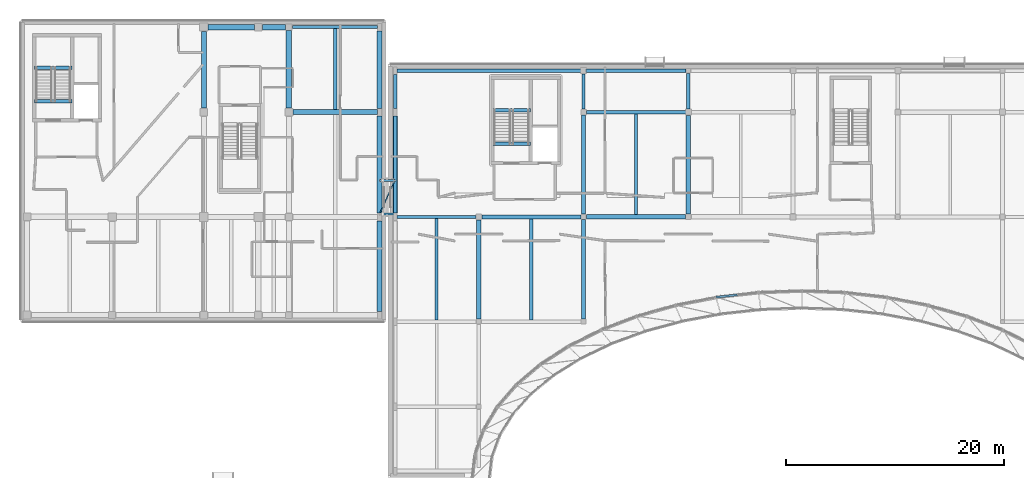
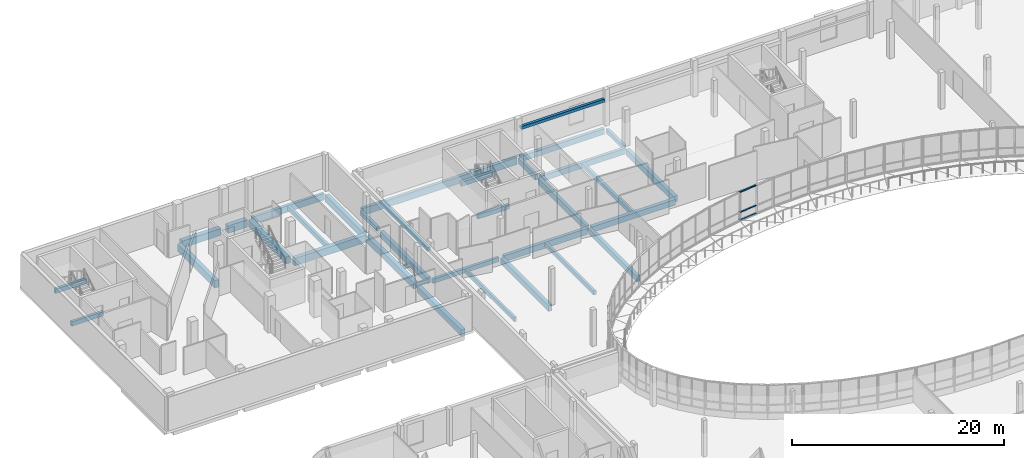
# One storey, part 22 of 73: 35 beams, 4 members, 1 element without a shape of its own.
"""IFC4 building model written with IfcOpenShell, lengths in metres."""

from ifc_helpers import new_model, si_unit, direction, frame, origin, origin_2d, place, context, subcontext, project, spatial, rectangle, hollow_rectangle, i_section, extrude, material, material_profile, profile_set, type_object, element, aggregate, save


model = new_model("IFC4")

# Units and contexts
model_context = context("Model", 3, precision=1e-05, world=origin(), true_north=direction((0.0, 1.0)))
body_context = subcontext(model_context, "Body", "Model", "MODEL_VIEW")
ifc_project = project(units=[si_unit("LENGTHUNIT", "METRE"), si_unit("AREAUNIT", "SQUARE_METRE"), si_unit("VOLUMEUNIT", "CUBIC_METRE"), si_unit("PLANEANGLEUNIT", "RADIAN"), si_unit("MASSUNIT", "GRAM", prefix="KILO")], contexts=[model_context])

# Site, building, storey
site_placement = place(None, origin())
site = spatial("IfcSite", under=ifc_project, at=site_placement, CompositionType="ELEMENT")
building_placement = place(site_placement, origin())
building = spatial("IfcBuilding", under=site, at=building_placement, Name="Mzevani Central Library", CompositionType="ELEMENT")
storey_placement = place(building_placement, frame((0.0, 0.0, 9.60009765625)))
storey = spatial("IfcBuildingStorey", under=building, at=storey_placement, Name="L02", CompositionType="ELEMENT", Elevation=9.60009765625)

# Beams
ifc_material_1 = material(Name="Concrete C35/45", Category="concrete")
ifc_material_profile_1 = material_profile(ifc_material_1, rectangle(XDim=0.300048828125, YDim=0.5, at=origin_2d()), Name="RC B300x500")
ifc_profile_set_1 = profile_set([ifc_material_profile_1], Name="Concrete C35/45")
beam_type_1 = type_object("IfcBeamType", Name="Beam RC 300x500", PredefinedType="BEAM", material=ifc_profile_set_1)
beam_1_placement = place(storey_placement, frame((46.925048828125, 100.0, -0.530029296875), z_axis=(1.0, 0.0, 0.0), x_axis=(0.0, 1.0, 0.0)))
element("IfcBeam", 1, at=beam_1_placement, inside=storey, type_object=beam_type_1, Name="L02 V3 Girder B-01 (564)", PredefinedType="BEAM", context=body_context, shape_type="SweptSolid", body=[
    extrude(rectangle(XDim=0.300048828125, YDim=0.5, at=origin_2d()), origin(), (0.0, 0.0, 1.0), 7.199951171875),
])
beam_2_placement = place(storey_placement, frame((46.75, 109.949951171875, -0.530029296875), z_axis=(0.0, 1.0, 0.0), x_axis=(-1.0, 0.0, 0.0)))
element("IfcBeam", 2, at=beam_2_placement, inside=storey, type_object=beam_type_1, Name="L02 V3 Frame Beam B-01 (592)", PredefinedType="BEAM", context=body_context, shape_type="SweptSolid", body=[
    extrude(rectangle(XDim=0.300048828125, YDim=0.5, at=origin_2d()), origin(), (0.0, 0.0, 1.0), 3.10009765625),
])
beam_3_placement = place(storey_placement, frame((73.60009765625, 109.89990234375, -0.530029296875), z_axis=(0.0, 1.0, 0.0), x_axis=(-1.0, 0.0, 0.0)))
element("IfcBeam", 3, at=beam_3_placement, inside=storey, type_object=beam_type_1, Name="L02 V3 Frame Beam B-01 (600)", PredefinedType="BEAM", context=body_context, shape_type="SweptSolid", body=[
    extrude(rectangle(XDim=0.300048828125, YDim=0.5, at=origin_2d()), origin(), (0.0, 0.0, 1.0), 3.25),
])
for number, where, z_axis, x_axis, name in (
    (4, (13.679931640625, 113.679931640625, 1.64990234375), (1.0, 0.0, 0.0), (0.0, 1.0, 0.0), "L02 Core C2A North-West Firefighting Core Stair Landing Beam 1"),
    (5, (13.679931640625, 110.60009765625, -0.25), (1.0, 0.0, 0.0), (0.0, 1.0, 0.0), "L02 Core C2A North-West Firefighting Core Stair Opening Trimmer Beam"),
    (6, (55.679931640625, 109.780029296875, 1.64990234375), (1.0, 0.0, 0.0), (0.0, 1.0, 0.0), "L02 Core C3A North-East Firefighting Core Stair Landing Beam 1"),
    (7, (55.679931640625, 106.699951171875, -0.25), (1.0, 0.0, 0.0), (0.0, 1.0, 0.0), "L02 Core C3A North-East Firefighting Core Stair Opening Trimmer Beam"),
):
    element("IfcBeam", number, at=place(storey_placement, frame(where, z_axis=z_axis, x_axis=x_axis)), inside=storey, type_object=beam_type_1, Name=name, PredefinedType="BEAM", context=body_context, shape_type="SweptSolid", body=[
        extrude(rectangle(XDim=0.300048828125, YDim=0.5, at=origin_2d()), origin(), (0.0, 0.0, 1.0), 3.440185546875),
    ])
ifc_material_profile_2 = material_profile(ifc_material_1, rectangle(XDim=0.300048828125, YDim=0.60009765625, at=origin_2d()), Name="RC B300x600")
ifc_profile_set_2 = profile_set([ifc_material_profile_2], Name="Concrete C35/45")
beam_type_2 = type_object("IfcBeamType", Name="Beam RC 300x600", PredefinedType="BEAM", material=ifc_profile_set_2)
beam_4_placement = place(storey_placement, frame((64.0, 109.875, -0.580078125), z_axis=(0.0, 1.0, 0.0), x_axis=(-1.0, 0.0, 0.0)))
element("IfcBeam", 8, at=beam_4_placement, inside=storey, type_object=beam_type_2, Name="L02 V3 Frame Beam B-03 (598)", PredefinedType="BEAM", context=body_context, shape_type="SweptSolid", body=[
    extrude(rectangle(XDim=0.300048828125, YDim=0.60009765625, at=origin_2d()), origin(), (0.0, 0.0, 1.0), 3.22509765625),
])
ifc_material_profile_3 = material_profile(ifc_material_1, rectangle(XDim=0.35009765625, YDim=0.64990234375, at=origin_2d()), Name="RC B350x650")
ifc_profile_set_3 = profile_set([ifc_material_profile_3], Name="Concrete C35/45")
beam_type_3 = type_object("IfcBeamType", Name="Beam RC 350x650", PredefinedType="BEAM", material=ifc_profile_set_3)
beam_5_placement = place(storey_placement, frame((64.27490234375, 109.60009765625, -0.60498046875), z_axis=(1.0, 0.0, 0.0), x_axis=(0.0, 1.0, 0.0)))
element("IfcBeam", 9, at=beam_5_placement, inside=storey, type_object=beam_type_3, Name="L02 V3 Girder B-05 (572)", PredefinedType="BEAM", context=body_context, shape_type="SweptSolid", body=[
    extrude(rectangle(XDim=0.35009765625, YDim=0.64990234375, at=origin_2d()), origin(), (0.0, 0.0, 1.0), 9.125),
])
beam_6_placement = place(storey_placement, frame((64.199951171875, 113.39990234375, -0.60498046875), z_axis=(1.0, 0.0, 0.0), x_axis=(0.0, 1.0, 0.0)))
element("IfcBeam", 10, at=beam_6_placement, inside=storey, type_object=beam_type_3, Name="L02 V3 Girder B-05 (580)", PredefinedType="BEAM", context=body_context, shape_type="SweptSolid", body=[
    extrude(rectangle(XDim=0.35009765625, YDim=0.64990234375, at=origin_2d()), origin(), (0.0, 0.0, 1.0), 9.150146484375),
])
beam_7_placement = place(storey_placement, frame((64.0, 90.64990234375, -0.60498046875), z_axis=(0.0, 1.0, 0.0), x_axis=(-1.0, 0.0, 0.0)))
element("IfcBeam", 11, at=beam_7_placement, inside=storey, type_object=beam_type_3, Name="L02 V3 Frame Beam B-05 (596)", PredefinedType="BEAM", context=body_context, shape_type="SweptSolid", body=[
    extrude(rectangle(XDim=0.35009765625, YDim=0.64990234375, at=origin_2d()), origin(), (0.0, 0.0, 1.0), 9.10009765625),
])
ifc_material_profile_4 = material_profile(ifc_material_1, rectangle(XDim=0.35009765625, YDim=0.699951171875, at=origin_2d()), Name="RC B350x700")
ifc_profile_set_4 = profile_set([ifc_material_profile_4], Name="Concrete C35/45")
beam_type_4 = type_object("IfcBeamType", Name="Beam RC 350x700", PredefinedType="BEAM", material=ifc_profile_set_4)
for number, where, z_axis, x_axis, name in (
    (12, (54.675048828125, 100.0, -0.630126953125), (1.0, 0.0, 0.0), (0.0, 1.0, 0.0), "L02 V3 Girder B-06 (565)"),
    (13, (64.0, 100.25, -0.630126953125), (0.0, 1.0, 0.0), (-1.0, 0.0, 0.0), "L02 V3 Frame Beam B-06 (597)"),
):
    element("IfcBeam", number, at=place(storey_placement, frame(where, z_axis=z_axis, x_axis=x_axis)), inside=storey, type_object=beam_type_4, Name=name, PredefinedType="BEAM", context=body_context, shape_type="SweptSolid", body=[
        extrude(rectangle(XDim=0.35009765625, YDim=0.699951171875, at=origin_2d()), origin(), (0.0, 0.0, 1.0), 9.074951171875),
    ])
ifc_material_profile_5 = material_profile(ifc_material_1, rectangle(XDim=0.39990234375, YDim=0.64990234375, at=origin_2d()), Name="RC B400x650")
ifc_profile_set_5 = profile_set([ifc_material_profile_5], Name="Concrete C35/45")
beam_type_5 = type_object("IfcBeamType", Name="Beam RC 400x650", PredefinedType="BEAM", material=ifc_profile_set_5)
beam_8_placement = place(storey_placement, frame((64.25, 100.0, -0.60498046875), z_axis=(1.0, 0.0, 0.0), x_axis=(0.0, 1.0, 0.0)))
element("IfcBeam", 14, at=beam_8_placement, inside=storey, type_object=beam_type_5, Name="L02 V3 Girder B-07 (566)", PredefinedType="BEAM", context=body_context, shape_type="SweptSolid", body=[
    extrude(rectangle(XDim=0.39990234375, YDim=0.64990234375, at=origin_2d()), origin(), (0.0, 0.0, 1.0), 9.074951171875),
])
ifc_material_profile_6 = material_profile(ifc_material_1, rectangle(XDim=0.39990234375, YDim=0.699951171875, at=origin_2d()), Name="RC B400x700")
ifc_profile_set_6 = profile_set([ifc_material_profile_6], Name="Concrete C35/45")
beam_type_6 = type_object("IfcBeamType", Name="Beam RC 400x700", PredefinedType="BEAM", material=ifc_profile_set_6)
beam_9_placement = place(storey_placement, frame((46.75, 100.35009765625, -0.630126953125), z_axis=(0.0, 1.0, 0.0), x_axis=(-1.0, 0.0, 0.0)))
element("IfcBeam", 15, at=beam_9_placement, inside=storey, type_object=beam_type_6, Name="L02 V3 Frame Beam B-08 (591)", PredefinedType="BEAM", context=body_context, shape_type="SweptSolid", body=[
    extrude(rectangle(XDim=0.39990234375, YDim=0.699951171875, at=origin_2d()), origin(), (0.0, 0.0, 1.0), 8.89990234375),
])
beam_10_placement = place(storey_placement, frame((54.39990234375, 90.64990234375, -0.630126953125), z_axis=(0.0, 1.0, 0.0), x_axis=(-1.0, 0.0, 0.0)))
element("IfcBeam", 16, at=beam_10_placement, inside=storey, type_object=beam_type_6, Name="L02 V3 Frame Beam B-08 (595)", PredefinedType="BEAM", context=body_context, shape_type="SweptSolid", body=[
    extrude(rectangle(XDim=0.39990234375, YDim=0.699951171875, at=origin_2d()), origin(), (0.0, 0.0, 1.0), 9.0751953125),
])
beam_11_placement = place(storey_placement, frame((73.60009765625, 100.27490234375, -0.630126953125), z_axis=(0.0, 1.0, 0.0), x_axis=(-1.0, 0.0, 0.0)))
element("IfcBeam", 17, at=beam_11_placement, inside=storey, type_object=beam_type_6, Name="L02 V3 Frame Beam B-08 (599)", PredefinedType="BEAM", context=body_context, shape_type="SweptSolid", body=[
    extrude(rectangle(XDim=0.39990234375, YDim=0.699951171875, at=origin_2d()), origin(), (0.0, 0.0, 1.0), 9.025146484375),
])
ifc_material_2 = material(Name="Steel S355J2", Category="steel")
ifc_material_profile_7 = material_profile(ifc_material_2, i_section(OverallWidth=0.18994140625, OverallDepth=0.449951171875, WebThickness=0.009521484375, FlangeThickness=0.0146484375, FilletRadius=0.02099609375, at=origin_2d()), Name="IPE 450")
ifc_profile_set_7 = profile_set([ifc_material_profile_7], Name="Steel S355J2")
beam_type_7 = type_object("IfcBeamType", Name="Bridge Primary Girder IPE 450", PredefinedType="BEAM", material=ifc_profile_set_7)
for number, where, z_axis, x_axis, name in (
    (18, (45.300048828125, 100.25, -0.550048828125), (1.0, 0.0, 0.0), (0.0, 1.0, 0.0), "L02 Stacks-Court Seismic Passage L02 Girder 1"),
    (19, (45.300048828125, 103.35009765625, -0.550048828125), (1.0, 0.0, 0.0), (0.0, 1.0, 0.0), "L02 Stacks-Court Seismic Passage L02 Girder 2"),
):
    element("IfcBeam", number, at=place(storey_placement, frame(where, z_axis=z_axis, x_axis=x_axis)), inside=storey, type_object=beam_type_7, Name=name, PredefinedType="BEAM", context=body_context, shape_type="SweptSolid", body=[
        extrude(i_section(OverallWidth=0.18994140625, OverallDepth=0.449951171875, WebThickness=0.009521484375, FlangeThickness=0.0146484375, FilletRadius=0.02099609375, at=origin_2d()), origin(), (0.0, 0.0, 1.0), 1.39990234375),
    ])

# Member
ifc_material_profile_8 = material_profile(ifc_material_2, hollow_rectangle(XDim=0.10009765625, YDim=0.179931640625, WallThickness=0.008056640625, at=origin_2d()), Name="RHS 180x100x8.0")
ifc_profile_set_8 = profile_set([ifc_material_profile_8], Name="Steel S355J2")
member_type_1 = type_object("IfcMemberType", Name="Bridge Truss Chord RHS 180x100", PredefinedType="CHORD", material=ifc_profile_set_8)
member_1_placement = place(storey_placement, frame((45.300048828125, 100.25, -0.380126953125), z_axis=(0.411552106839, 0.911386231713, 0.0), x_axis=(-0.911386231713, 0.411552106839, 0.0)))
element("IfcMember", 20, at=member_1_placement, inside=storey, type_object=member_type_1, Name="L02 Stacks-Court Seismic Passage L02 Diaphragm Chord", PredefinedType="CHORD", context=body_context, shape_type="SweptSolid", body=[
    extrude(hollow_rectangle(XDim=0.10009765625, YDim=0.179931640625, WallThickness=0.008056640625, at=origin_2d()), origin(), (0.0, 0.0, 1.0), 3.401611328125),
])

# Curtain wall, members
ifc_material_3 = material(Name="Thermally broken aluminium and Low-E triple glazing", Category="aluminium")
curtain_wall_type = type_object("IfcCurtainWallType", Name="Elliptical Court Unitised Curtain Wall", PredefinedType="NOTDEFINED", material=ifc_material_3)
curtain_wall_placement = place(storey_placement, origin())
curtain_wall = element("IfcCurtainWall", 21, at=curtain_wall_placement, inside=storey, type_object=curtain_wall_type, Name="L02 Elliptical Court Curtain Wall 14", PredefinedType="NOTDEFINED")
ifc_material_4 = material(Name="Thermally broken aluminium AW-6060", Category="aluminium")
ifc_material_profile_9 = material_profile(ifc_material_4, rectangle(XDim=0.18994140625, YDim=0.070068359375, at=origin_2d()), Name="ALU T70x190")
ifc_profile_set_9 = profile_set([ifc_material_profile_9], Name="Thermally broken aluminium AW-6060")
member_type_2 = type_object("IfcMemberType", Name="CW Transom 70x190", PredefinedType="USERDEFINED", material=ifc_profile_set_9)
member_2_placement = place(storey_placement, frame((78.0869140625, 92.857421875, 0.719970703125), z_axis=(-0.993685364048, -0.11220248338, 0.0), x_axis=(0.11220248338, -0.993685364048, 0.0)))
member_2 = element("IfcMember", 22, at=member_2_placement, type_object=member_type_2, Name="L02 Elliptical Court Curtain Wall 14 Transom 4", ObjectType="TRANSOM", PredefinedType="USERDEFINED", context=body_context, shape_type="SweptSolid", body=[
    extrude(rectangle(XDim=0.18994140625, YDim=0.070068359375, at=origin_2d()), origin(), (0.0, 0.0, 1.0), 1.9365234375),
])
member_3_placement = place(storey_placement, frame((78.0869140625, 92.857421875, 1.619873046875), z_axis=(-0.993685364048, -0.11220248338, 0.0), x_axis=(0.11220248338, -0.993685364048, 0.0)))
member_3 = element("IfcMember", 23, at=member_3_placement, type_object=member_type_2, Name="L02 Elliptical Court Curtain Wall 14 Transom 5", ObjectType="TRANSOM", PredefinedType="USERDEFINED", context=body_context, shape_type="SweptSolid", body=[
    extrude(rectangle(XDim=0.18994140625, YDim=0.070068359375, at=origin_2d()), origin(), (0.0, 0.0, 1.0), 1.9365234375),
])
member_4_placement = place(storey_placement, frame((78.0869140625, 92.857421875, 3.919921875), z_axis=(-0.993685364048, -0.11220248338, 0.0), x_axis=(0.11220248338, -0.993685364048, 0.0)))
member_4 = element("IfcMember", 24, at=member_4_placement, type_object=member_type_2, Name="L02 Elliptical Court Curtain Wall 14 Transom 6", ObjectType="TRANSOM", PredefinedType="USERDEFINED", context=body_context, shape_type="SweptSolid", body=[
    extrude(rectangle(XDim=0.18994140625, YDim=0.070068359375, at=origin_2d()), origin(), (0.0, 0.0, 1.0), 1.9365234375),
])
aggregate(curtain_wall, [member_2, member_3, member_4])

# Beams
ifc_material_5 = material(Name="Precast concrete C40/50", Category="concrete")
ifc_material_profile_10 = material_profile(ifc_material_5, rectangle(XDim=0.35009765625, YDim=0.800048828125, at=origin_2d()), Name="RC SP350x800")
ifc_profile_set_10 = profile_set([ifc_material_profile_10], Name="Precast concrete C40/50")
beam_type_8 = type_object("IfcBeamType", Name="Colonnade Fascia Beam RC 350x800", PredefinedType="SPANDREL", material=ifc_profile_set_10)
beam_12_placement = place(storey_placement, frame((46.925048828125, 113.39990234375, -0.68017578125), z_axis=(1.0, 0.0, 0.0), x_axis=(0.0, 1.0, 0.0)))
element("IfcBeam", 25, at=beam_12_placement, inside=storey, type_object=beam_type_8, Name="L02 V3 Girder SP-02 (579)", PredefinedType="SPANDREL", context=body_context, shape_type="SweptSolid", body=[
    extrude(rectangle(XDim=0.35009765625, YDim=0.800048828125, at=origin_2d()), origin(), (0.0, 0.0, 1.0), 16.875),
])
ifc_material_profile_11 = material_profile(ifc_material_5, rectangle(XDim=0.300048828125, YDim=0.75, at=origin_2d()), Name="RC SP300x750")
ifc_profile_set_11 = profile_set([ifc_material_profile_11], Name="Precast concrete C40/50")
beam_type_9 = type_object("IfcBeamType", Name="Edge Spandrel Beam RC 300x750", PredefinedType="SPANDREL", material=ifc_profile_set_11)
beam_13_placement = place(storey_placement, frame((37.324951171875, 117.39990234375, -0.695068359375), z_axis=(1.0, 0.0, 0.0), x_axis=(0.0, 1.0, 0.0)))
element("IfcBeam", 26, at=beam_13_placement, inside=storey, type_object=beam_type_9, Name="L02 V2 Girder SP-01 (300)", PredefinedType="SPANDREL", context=body_context, shape_type="SweptSolid", body=[
    extrude(rectangle(XDim=0.300048828125, YDim=0.75, at=origin_2d()), origin(), (0.0, 0.0, 1.0), 7.800048828125),
])
ifc_material_profile_12 = material_profile(ifc_material_1, rectangle(XDim=0.25, YDim=0.5, at=origin_2d()), Name="RC J250x500")
ifc_profile_set_12 = profile_set([ifc_material_profile_12], Name="Concrete C35/45")
beam_type_10 = type_object("IfcBeamType", Name="Floor Joist RC 250x500", PredefinedType="JOIST", material=ifc_profile_set_12)
beam_14_placement = place(storey_placement, frame((50.52490234375, 90.550048828125, -0.530029296875), z_axis=(0.0, 1.0, 0.0), x_axis=(-1.0, 0.0, 0.0)))
element("IfcBeam", 27, at=beam_14_placement, inside=storey, type_object=beam_type_10, Name="L02 V3 Floor Joist BJ-02 (622)", PredefinedType="JOIST", context=body_context, shape_type="SweptSolid", body=[
    extrude(rectangle(XDim=0.25, YDim=0.5, at=origin_2d()), origin(), (0.0, 0.0, 1.0), 9.300048828125),
])
ifc_material_profile_13 = material_profile(ifc_material_1, rectangle(XDim=0.300048828125, YDim=0.449951171875, at=origin_2d()), Name="RC J300x450")
ifc_profile_set_13 = profile_set([ifc_material_profile_13], Name="Concrete C35/45")
beam_type_11 = type_object("IfcBeamType", Name="Floor Joist RC 300x450", PredefinedType="JOIST", material=ifc_profile_set_13)
beam_15_placement = place(storey_placement, frame((59.21240234375, 90.574951171875, -0.505126953125), z_axis=(0.0, 1.0, 0.0), x_axis=(-1.0, 0.0, 0.0)))
element("IfcBeam", 28, at=beam_15_placement, inside=storey, type_object=beam_type_11, Name="L02 V3 Floor Joist BJ-03 (623)", PredefinedType="JOIST", context=body_context, shape_type="SweptSolid", body=[
    extrude(rectangle(XDim=0.300048828125, YDim=0.449951171875, at=origin_2d()), origin(), (0.0, 0.0, 1.0), 9.25),
])
beam_16_placement = place(storey_placement, frame((68.800048828125, 100.199951171875, -0.505126953125), z_axis=(0.0, 1.0, 0.0), x_axis=(-1.0, 0.0, 0.0)))
element("IfcBeam", 29, at=beam_16_placement, inside=storey, type_object=beam_type_11, Name="L02 V3 Floor Joist BJ-03 (626)", PredefinedType="JOIST", context=body_context, shape_type="SweptSolid", body=[
    extrude(rectangle(XDim=0.300048828125, YDim=0.449951171875, at=origin_2d()), origin(), (0.0, 0.0, 1.0), 9.22509765625),
])
ifc_material_profile_14 = material_profile(ifc_material_5, rectangle(XDim=0.300048828125, YDim=0.35009765625, at=origin_2d()), Name="PC LN300x350")
ifc_profile_set_14 = profile_set([ifc_material_profile_14], Name="Precast concrete C40/50")
beam_type_12 = type_object("IfcBeamType", Name="Precast Window Lintel 300x350", PredefinedType="LINTEL", material=ifc_profile_set_14)
beam_17_placement = place(storey_placement, frame((64.27490234375, 113.39990234375, 2.9248046875), z_axis=(1.0, 0.0, 0.0), x_axis=(0.0, 1.0, 0.0)))
element("IfcBeam", 30, at=beam_17_placement, inside=storey, type_object=beam_type_12, Name="L02 V3 Precast Portal Lintel (46)", PredefinedType="LINTEL", context=body_context, shape_type="SweptSolid", body=[
    extrude(rectangle(XDim=0.300048828125, YDim=0.35009765625, at=origin_2d()), origin(), (0.0, 0.0, 1.0), 9.10009765625),
])
ifc_material_profile_15 = material_profile(ifc_material_5, rectangle(XDim=0.35009765625, YDim=0.39990234375, at=origin_2d()), Name="PC LN350x400")
ifc_profile_set_15 = profile_set([ifc_material_profile_15], Name="Precast concrete C40/50")
beam_type_13 = type_object("IfcBeamType", Name="Precast Window Lintel 350x400", PredefinedType="LINTEL", material=ifc_profile_set_15)
beam_18_placement = place(storey_placement, frame((46.75, 100.35009765625, 2.949951171875), z_axis=(0.0, 1.0, 0.0), x_axis=(-1.0, 0.0, 0.0)))
element("IfcBeam", 31, at=beam_18_placement, inside=storey, type_object=beam_type_13, Name="L02 V3 Precast Portal Lintel (53)", PredefinedType="LINTEL", context=body_context, shape_type="SweptSolid", body=[
    extrude(rectangle(XDim=0.35009765625, YDim=0.39990234375, at=origin_2d()), origin(), (0.0, 0.0, 1.0), 8.89990234375),
])
ifc_material_6 = material(Name="Concrete C40/50", Category="concrete")
ifc_material_profile_16 = material_profile(ifc_material_6, rectangle(XDim=0.449951171875, YDim=0.699951171875, at=origin_2d()), Name="RC B450x700")
ifc_profile_set_16 = profile_set([ifc_material_profile_16], Name="Concrete C40/50")
beam_type_14 = type_object("IfcBeamType", Name="Stack Girder RC 450x700", PredefinedType="BEAM", material=ifc_profile_set_16)
beam_19_placement = place(storey_placement, frame((45.300048828125, 91.35009765625, -0.670166015625), z_axis=(0.0, 1.0, 0.0), x_axis=(-1.0, 0.0, 0.0)))
element("IfcBeam", 32, at=beam_19_placement, inside=storey, type_object=beam_type_14, Name="L02 V2 Frame Beam BG-01 (322)", PredefinedType="BEAM", context=body_context, shape_type="SweptSolid", body=[
    extrude(rectangle(XDim=0.449951171875, YDim=0.699951171875, at=origin_2d()), origin(), (0.0, 0.0, 1.0), 8.2998046875),
])
ifc_material_profile_17 = material_profile(ifc_material_6, rectangle(XDim=0.449951171875, YDim=0.75, at=origin_2d()), Name="RC B450x750")
ifc_profile_set_17 = profile_set([ifc_material_profile_17], Name="Concrete C40/50")
beam_type_15 = type_object("IfcBeamType", Name="Stack Girder RC 450x750", PredefinedType="BEAM", material=ifc_profile_set_17)
beam_20_placement = place(storey_placement, frame((45.300048828125, 100.35009765625, -0.695068359375), z_axis=(0.0, 1.0, 0.0), x_axis=(-1.0, 0.0, 0.0)))
element("IfcBeam", 33, at=beam_20_placement, inside=storey, type_object=beam_type_15, Name="L02 V2 Frame Beam BG-02 (323)", PredefinedType="BEAM", context=body_context, shape_type="SweptSolid", body=[
    extrude(rectangle(XDim=0.449951171875, YDim=0.75, at=origin_2d()), origin(), (0.0, 0.0, 1.0), 8.89990234375),
])
ifc_material_profile_18 = material_profile(ifc_material_6, rectangle(XDim=0.449951171875, YDim=0.800048828125, at=origin_2d()), Name="RC B450x800")
ifc_profile_set_18 = profile_set([ifc_material_profile_18], Name="Concrete C40/50")
beam_type_16 = type_object("IfcBeamType", Name="Stack Girder RC 450x800", PredefinedType="BEAM", material=ifc_profile_set_18)
beam_21_placement = place(storey_placement, frame((45.300048828125, 109.949951171875, -0.72021484375), z_axis=(0.0, 1.0, 0.0), x_axis=(-1.0, 0.0, 0.0)))
element("IfcBeam", 34, at=beam_21_placement, inside=storey, type_object=beam_type_16, Name="L02 V2 Frame Beam BG-03 (324)", PredefinedType="BEAM", context=body_context, shape_type="SweptSolid", body=[
    extrude(rectangle(XDim=0.449951171875, YDim=0.800048828125, at=origin_2d()), origin(), (0.0, 0.0, 1.0), 7.10009765625),
])
ifc_material_profile_19 = material_profile(ifc_material_6, rectangle(XDim=0.449951171875, YDim=0.85009765625, at=origin_2d()), Name="RC B450x850")
ifc_profile_set_19 = profile_set([ifc_material_profile_19], Name="Concrete C40/50")
beam_type_17 = type_object("IfcBeamType", Name="Stack Girder RC 450x850", PredefinedType="BEAM", material=ifc_profile_set_19)
beam_22_placement = place(storey_placement, frame((37.375, 109.60009765625, -0.7451171875), z_axis=(1.0, 0.0, 0.0), x_axis=(0.0, 1.0, 0.0)))
element("IfcBeam", 35, at=beam_22_placement, inside=storey, type_object=beam_type_17, Name="L02 V2 Girder BG-04 (297)", PredefinedType="BEAM", context=body_context, shape_type="SweptSolid", body=[
    extrude(rectangle(XDim=0.449951171875, YDim=0.85009765625, at=origin_2d()), origin(), (0.0, 0.0, 1.0), 7.75),
])
beam_23_placement = place(storey_placement, frame((29.199951171875, 109.97509765625, -0.7451171875), z_axis=(0.0, 1.0, 0.0), x_axis=(-1.0, 0.0, 0.0)))
element("IfcBeam", 36, at=beam_23_placement, inside=storey, type_object=beam_type_17, Name="L02 V2 Frame Beam BG-04 (311)", PredefinedType="BEAM", context=body_context, shape_type="SweptSolid", body=[
    extrude(rectangle(XDim=0.449951171875, YDim=0.85009765625, at=origin_2d()), origin(), (0.0, 0.0, 1.0), 7.02490234375),
])
ifc_material_profile_20 = material_profile(ifc_material_6, rectangle(XDim=0.5, YDim=0.800048828125, at=origin_2d()), Name="RC B500x800")
ifc_profile_set_20 = profile_set([ifc_material_profile_20], Name="Concrete C40/50")
beam_type_18 = type_object("IfcBeamType", Name="Stack Girder RC 500x800", PredefinedType="BEAM", material=ifc_profile_set_20)
beam_24_placement = place(storey_placement, frame((29.60009765625, 117.39990234375, -0.72021484375), z_axis=(1.0, 0.0, 0.0), x_axis=(0.0, 1.0, 0.0)))
element("IfcBeam", 37, at=beam_24_placement, inside=storey, type_object=beam_type_18, Name="L02 V2 Girder BG-05 (298)", PredefinedType="BEAM", context=body_context, shape_type="SweptSolid", body=[
    extrude(rectangle(XDim=0.5, YDim=0.800048828125, at=origin_2d()), origin(), (0.0, 0.0, 1.0), 4.224853515625),
])
beam_25_placement = place(storey_placement, frame((37.0, 109.97509765625, -0.72021484375), z_axis=(0.0, 1.0, 0.0), x_axis=(-1.0, 0.0, 0.0)))
element("IfcBeam", 38, at=beam_25_placement, inside=storey, type_object=beam_type_18, Name="L02 V2 Frame Beam BG-05 (319)", PredefinedType="BEAM", context=body_context, shape_type="SweptSolid", body=[
    extrude(rectangle(XDim=0.5, YDim=0.800048828125, at=origin_2d()), origin(), (0.0, 0.0, 1.0), 7.099853515625),
])
ifc_material_profile_21 = material_profile(ifc_material_6, rectangle(XDim=0.5, YDim=0.85009765625, at=origin_2d()), Name="RC B500x850")
ifc_profile_set_21 = profile_set([ifc_material_profile_21], Name="Concrete C40/50")
beam_type_19 = type_object("IfcBeamType", Name="Stack Girder RC 500x850", PredefinedType="BEAM", material=ifc_profile_set_21)
beam_26_placement = place(storey_placement, frame((34.574951171875, 117.39990234375, -0.7451171875), z_axis=(1.0, 0.0, 0.0), x_axis=(0.0, 1.0, 0.0)))
element("IfcBeam", 39, at=beam_26_placement, inside=storey, type_object=beam_type_19, Name="L02 V2 Girder BG-06 (299)", PredefinedType="BEAM", context=body_context, shape_type="SweptSolid", body=[
    extrude(rectangle(XDim=0.5, YDim=0.85009765625, at=origin_2d()), origin(), (0.0, 0.0, 1.0), 2.10009765625),
])
ifc_material_profile_22 = material_profile(ifc_material_6, rectangle(XDim=0.300048828125, YDim=0.52001953125, at=origin_2d()), Name="RC J300x520")
ifc_profile_set_22 = profile_set([ifc_material_profile_22], Name="Concrete C40/50")
beam_type_20 = type_object("IfcBeamType", Name="Stack Joist RC 300x520", PredefinedType="JOIST", material=ifc_profile_set_22)
beam_27_placement = place(storey_placement, frame((41.25, 109.824951171875, -0.580078125), z_axis=(0.0, 1.0, 0.0), x_axis=(-1.0, 0.0, 0.0)))
element("IfcBeam", 40, at=beam_27_placement, inside=storey, type_object=beam_type_20, Name="L02 V2 Floor Joist BJ-04 (341)", PredefinedType="JOIST", context=body_context, shape_type="SweptSolid", body=[
    extrude(rectangle(XDim=0.300048828125, YDim=0.52001953125, at=origin_2d()), origin(), (0.0, 0.0, 1.0), 7.425048828125),
])

save(model, "model.ifc")
